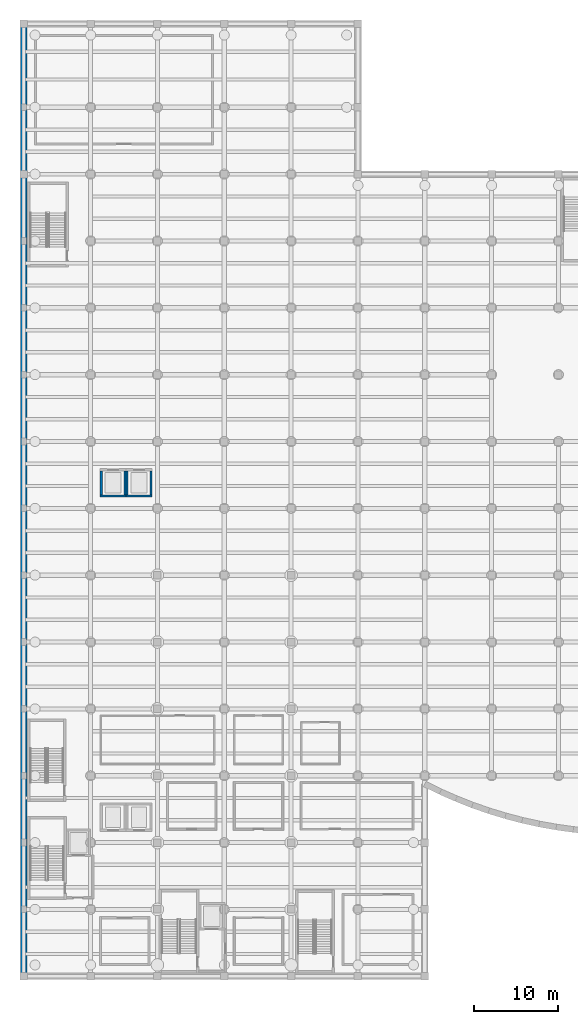
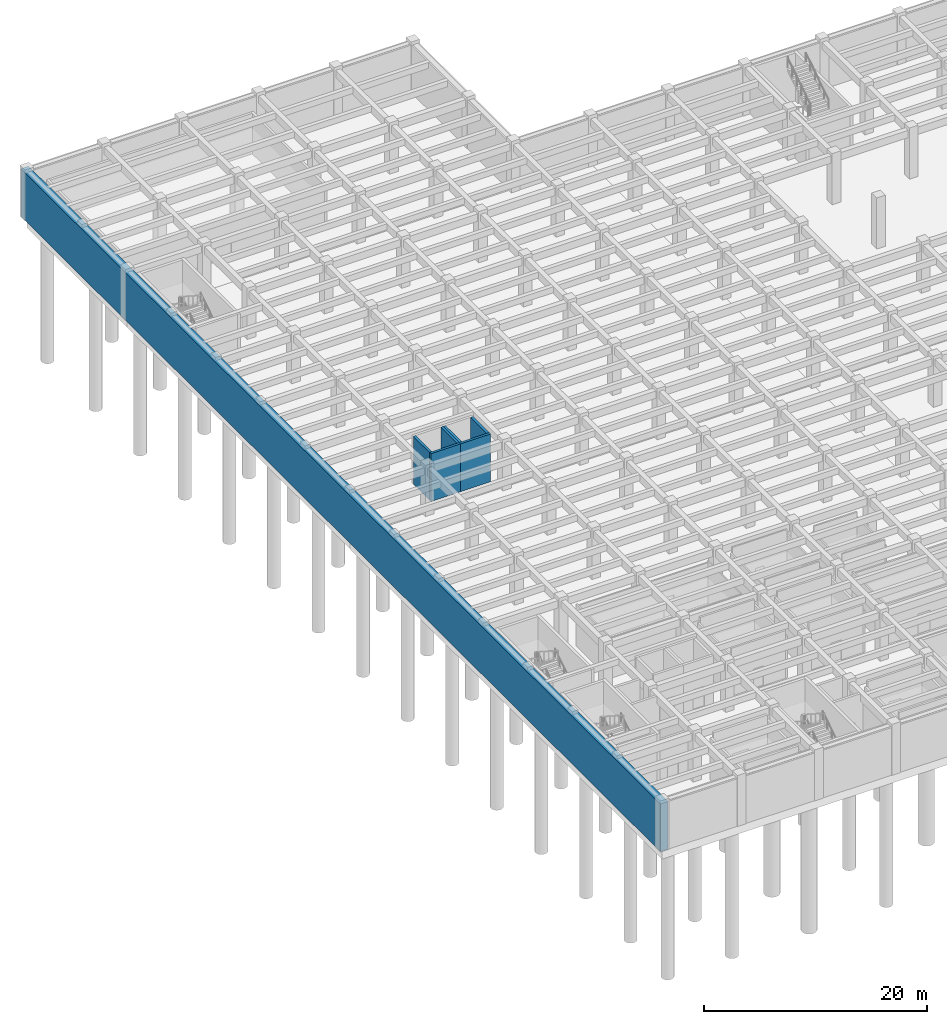
# One storey, part 8 of 18: 7 walls.
"""IFC4 building model written with IfcOpenShell, lengths in metres."""

from ifc_helpers import new_model, si_unit, direction, frame, frame_2d, origin, place, context, subcontext, project, spatial, rectangle, extrude, material, layer, layer_set, type_object, element, save


model = new_model("IFC4")

# Units and contexts
model_context = context("Model", 3, precision=1e-05, world=origin(), true_north=direction((0.0, 1.0)))
body_context = subcontext(model_context, "Body", "Model", "MODEL_VIEW")
ifc_project = project(units=[si_unit("LENGTHUNIT", "METRE"), si_unit("AREAUNIT", "SQUARE_METRE"), si_unit("VOLUMEUNIT", "CUBIC_METRE"), si_unit("PLANEANGLEUNIT", "RADIAN"), si_unit("MASSUNIT", "GRAM", prefix="KILO")], contexts=[model_context])

# Site, building, storey
site_placement = place(None, origin())
site = spatial("IfcSite", under=ifc_project, at=site_placement, CompositionType="ELEMENT")
building_placement = place(site_placement, origin())
building = spatial("IfcBuilding", under=site, at=building_placement, Name="Drelvath Fold Interchange", CompositionType="ELEMENT")
storey_placement = place(building_placement, frame((0.0, 0.0, -11.199951171875)))
storey = spatial("IfcBuildingStorey", under=building, at=storey_placement, Name="B2", CompositionType="ELEMENT", Elevation=-11.199951171875)

# Walls
ifc_material = material(Name="Concrete f'c 45 MPa (6500 psi)", Category="concrete")
ifc_layer_1 = layer(ifc_material, 0.800048828125, Name="Concrete f'c 45 MPa (6500 psi)")
ifc_layer_set_1 = layer_set([ifc_layer_1], Name="Concrete f'c 45 MPa (6500 psi)")
wall_type_1 = type_object("IfcWallType", Name="WL-DW800", PredefinedType="SOLIDWALL", material=ifc_layer_set_1)
wall_1_placement = place(storey_placement, frame((4.0, 2.60009765625, 0.0), z_axis=(0.0, 0.0, 1.0), x_axis=(0.0, 1.0, 0.0)))
element("IfcWall", 1, at=wall_1_placement, inside=storey, type_object=wall_type_1, Name="B2 diaphragm wall 7", PredefinedType="SOLIDWALL", context=body_context, shape_type="SweptSolid", body=[
    extrude(rectangle(XDim=114.7998046875, YDim=0.800048828125, at=frame_2d((57.39990234375, 0.0))), origin(), (0.0, 0.0, 1.0), 5.219970703125),
])
ifc_layer_2 = layer(ifc_material, 0.25, Name="Concrete f'c 45 MPa (6500 psi)")
ifc_layer_set_2 = layer_set([ifc_layer_2], Name="Concrete f'c 45 MPa (6500 psi)")
wall_type_2 = type_object("IfcWallType", Name="WL-SH250", PredefinedType="SOLIDWALL", material=ifc_layer_set_2)
wall_2_placement = place(storey_placement, frame((13.14990234375, 60.47509765625, 0.0), z_axis=(0.0, 0.0, 1.0), x_axis=(1.0, 0.0, 0.0)))
element("IfcWall", 2, at=wall_2_placement, inside=storey, type_object=wall_type_2, Name="LF-03 B2 south shaft wall", PredefinedType="SOLIDWALL", context=body_context, shape_type="SweptSolid", body=[
    extrude(rectangle(XDim=3.10009765625, YDim=0.25, at=frame_2d((1.550048828125, 0.0))), origin(), (0.0, 0.0, 1.0), 5.23486328125),
])
for number, where, z_axis, x_axis, name in (
    (3, (16.125, 60.60009765625, 0.0), (0.0, 0.0, 1.0), (0.0, 1.0, 0.0), "LF-03 B2 east shaft wall"),
    (4, (13.27490234375, 63.5, 0.0), (0.0, 0.0, 1.0), (0.0, -1.0, 0.0), "LF-03 B2 west shaft wall"),
):
    element("IfcWall", number, at=place(storey_placement, frame(where, z_axis=z_axis, x_axis=x_axis)), inside=storey, type_object=wall_type_2, Name=name, PredefinedType="SOLIDWALL", context=body_context, shape_type="SweptSolid", body=[
        extrude(rectangle(XDim=2.89990234375, YDim=0.25, at=frame_2d((1.449951171875, 0.0))), origin(), (0.0, 0.0, 1.0), 5.23486328125),
    ])
wall_3_placement = place(storey_placement, frame((16.25, 60.47509765625, 0.0), z_axis=(0.0, 0.0, 1.0), x_axis=(1.0, 0.0, 0.0)))
element("IfcWall", 5, at=wall_3_placement, inside=storey, type_object=wall_type_2, Name="LF-04 B2 south shaft wall", PredefinedType="SOLIDWALL", context=body_context, shape_type="SweptSolid", body=[
    extrude(rectangle(XDim=3.10009765625, YDim=0.25, at=frame_2d((1.550048828125, 0.0))), origin(), (0.0, 0.0, 1.0), 5.23486328125),
])
for number, where, z_axis, x_axis, name in (
    (6, (19.22509765625, 60.60009765625, 0.0), (0.0, 0.0, 1.0), (0.0, 1.0, 0.0), "LF-04 B2 east shaft wall"),
    (7, (16.375, 63.5, 0.0), (0.0, 0.0, 1.0), (0.0, -1.0, 0.0), "LF-04 B2 west shaft wall"),
):
    element("IfcWall", number, at=place(storey_placement, frame(where, z_axis=z_axis, x_axis=x_axis)), inside=storey, type_object=wall_type_2, Name=name, PredefinedType="SOLIDWALL", context=body_context, shape_type="SweptSolid", body=[
        extrude(rectangle(XDim=2.89990234375, YDim=0.25, at=frame_2d((1.449951171875, 0.0))), origin(), (0.0, 0.0, 1.0), 5.23486328125),
    ])

save(model, "model.ifc")
